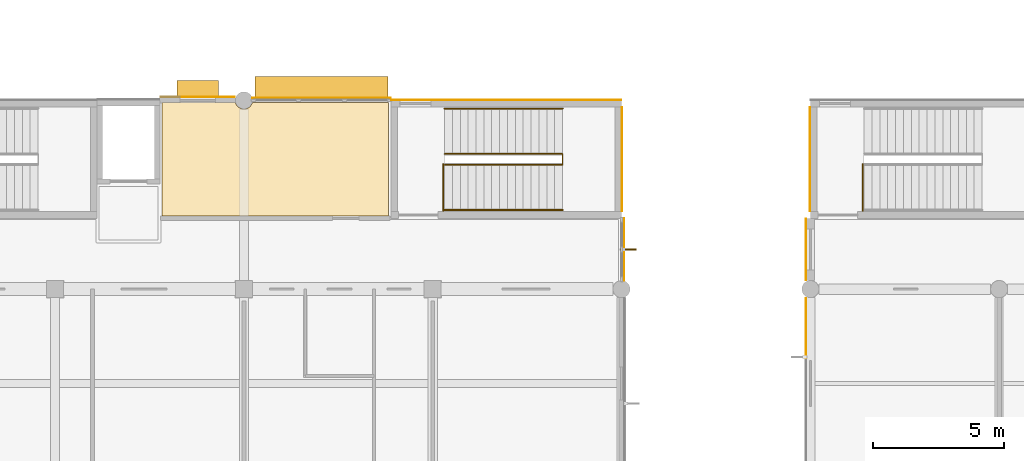
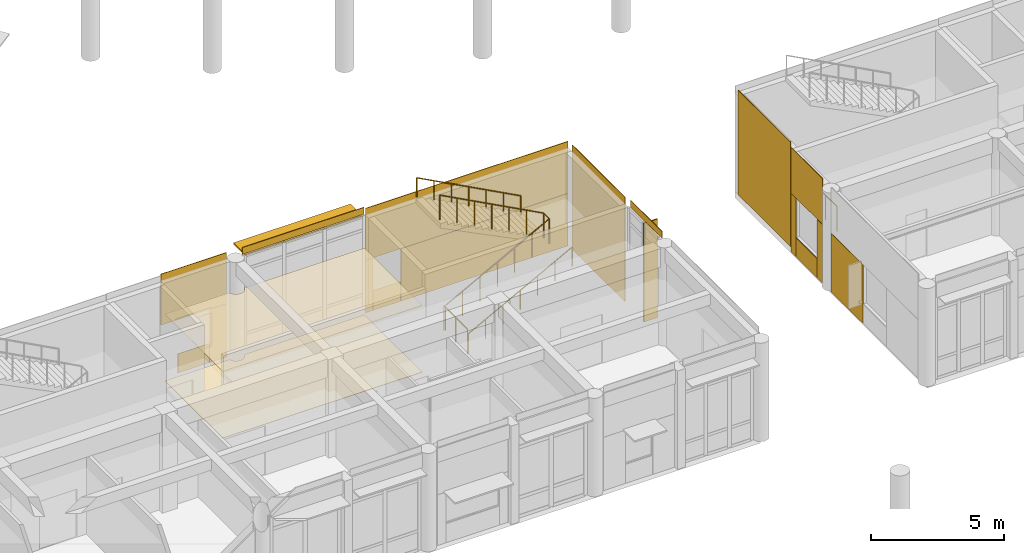
# One storey, part 73 of 92: 18 coverings, 5 railings, 3 shading devices.
"""IFC4 building model written with IfcOpenShell, lengths in metres."""

import ifcopenshell
import ifcopenshell.guid

model = None  # the IFC model being written
_history = None  # IfcOwnerHistory: only IFC2X3 demands one
_inside = {}  # id of a spatial element -> (the spatial element, [elements in it])
_under = {}  # id of a project, library or spatial element -> (it, [spatial elements below it])
_declared = {}  # id of a project -> (the project, [libraries it declares])
_typed = {}  # id of a type object -> (the type object, [elements of that type])
_made_of = {}  # id of a material, layer set ... -> (it, [elements and type objects made of it])


def new_model(schema):
    """Start an empty IFC model of exactly this schema.

    Asked for "IFC4X3", IfcOpenShell would pick the latest addendum, in which some entities
    have other attributes; the version numbers below select the first issue.
    IFC2X3 requires an IfcOwnerHistory on every rooted entity: one is made here for all.
    """
    global model, _history
    if schema == "IFC4X3":
        model = ifcopenshell.file(schema_version=(4, 3, 0, 0))
    else:
        model = ifcopenshell.file(schema=schema)
    _inside.clear()
    _under.clear()
    _declared.clear()
    _typed.clear()
    _made_of.clear()
    _history = None
    if model.schema == "IFC2X3":
        org = make("IfcOrganization", Name="unknown")
        user = make(
            "IfcPersonAndOrganization",
            ThePerson=make("IfcPerson", FamilyName="unknown"),
            TheOrganization=org,
        )
        app = make(
            "IfcApplication",
            ApplicationDeveloper=org,
            Version="unknown",
            ApplicationFullName="unknown",
            ApplicationIdentifier="unknown",
        )
        _history = make(
            "IfcOwnerHistory",
            OwningUser=user,
            OwningApplication=app,
            ChangeAction="ADDED",
            CreationDate=0,
        )
    return model


def make(cls, **values):
    """One entity of the class cls with the attributes given. An attribute that is None is left unset."""
    return model.create_entity(
        cls, **{name: value for name, value in values.items() if value is not None}
    )


def rooted(cls, **values):
    """An entity with a GlobalId (a new one), such as an element, a storey or a relation."""
    return make(cls, GlobalId=ifcopenshell.guid.new(), OwnerHistory=_history, **values)


def si_unit(unit_type, name, prefix=None):
    """IfcSIUnit, for example si_unit("LENGTHUNIT", "METRE", prefix="MILLI")."""
    return make("IfcSIUnit", UnitType=unit_type, Prefix=prefix, Name=name)


def assignment(units):
    """IfcUnitAssignment: the units of a project."""
    return None if units is None else make("IfcUnitAssignment", Units=units)


def point(xyz):
    """IfcCartesianPoint."""
    return None if xyz is None else make("IfcCartesianPoint", Coordinates=xyz)


def direction(xyz):
    """IfcDirection."""
    return None if xyz is None else make("IfcDirection", DirectionRatios=xyz)


def frame(location, z_axis=None, x_axis=None):
    """IfcAxis2Placement3D, a coordinate frame: its origin and axes. An axis left out is left unset."""
    return make(
        "IfcAxis2Placement3D",
        Location=point(location),
        Axis=direction(z_axis),
        RefDirection=direction(x_axis),
    )


def frame_2d(location, x_axis=None):
    """IfcAxis2Placement2D, a coordinate frame in the plane: its origin and x axis."""
    return make(
        "IfcAxis2Placement2D", Location=point(location), RefDirection=direction(x_axis)
    )


def origin():
    """The frame at (0, 0, 0) with its axes left unset."""
    return frame((0.0, 0.0, 0.0))


def origin_2d():
    """The frame at (0, 0) in the plane with its x axis left unset."""
    return frame_2d((0.0, 0.0))


def place(relative_to, where):
    """IfcLocalPlacement: puts the frame where relative to a parent placement (None: the world)."""
    return make(
        "IfcLocalPlacement", PlacementRelTo=relative_to, RelativePlacement=where
    )


def context(
    kind, dimensions, precision=None, world=None, true_north=None, identifier=None
):
    """IfcGeometricRepresentationContext, for example the 3D "Model" context."""
    return make(
        "IfcGeometricRepresentationContext",
        ContextIdentifier=identifier,
        ContextType=kind,
        CoordinateSpaceDimension=dimensions,
        Precision=precision,
        WorldCoordinateSystem=world,
        TrueNorth=true_north,
    )


def subcontext(parent, identifier, kind, view, scale=None):
    """IfcGeometricRepresentationSubContext, for example "Body" below "Model"."""
    return make(
        "IfcGeometricRepresentationSubContext",
        ContextIdentifier=identifier,
        ContextType=kind,
        ParentContext=parent,
        TargetScale=scale,
        TargetView=view,
    )


def project(units=None, contexts=None):
    """IfcProject with its units and contexts."""
    return rooted(
        "IfcProject",
        Name="project",
        RepresentationContexts=contexts,
        UnitsInContext=assignment(units),
    )


def spatial(cls, under=None, at=None, **own):
    """A site, building, storey or space (cls), placed at a placement, below another one or the project."""
    s = rooted(cls, ObjectPlacement=at, **own)
    if under is not None:
        _under.setdefault(under.id(), (under, []))[1].append(s)
    return s


def polyline(points):
    """IfcPolyline through the points."""
    return make("IfcPolyline", Points=[point(p) for p in points])


def profile(cls, at=None, kind="AREA", **sizes):
    """A parametric profile (cls). Its sizes go by their IFC names, for example OverallWidth=200.0."""
    return make(cls, ProfileType=kind, Position=at, **sizes)


def rectangle(**sizes):
    """IfcRectangleProfileDef."""
    return profile("IfcRectangleProfileDef", **sizes)


def circle(**sizes):
    """IfcCircleProfileDef."""
    return profile("IfcCircleProfileDef", **sizes)


def outline(outer, holes=None, kind="AREA"):
    """IfcArbitraryClosedProfileDef: a profile drawn as a closed curve; with holes, ...WithVoids."""
    if holes is None:
        return make("IfcArbitraryClosedProfileDef", ProfileType=kind, OuterCurve=outer)
    return make(
        "IfcArbitraryProfileDefWithVoids",
        ProfileType=kind,
        OuterCurve=outer,
        InnerCurves=holes,
    )


def extrude(swept, where, along, depth):
    """IfcExtrudedAreaSolid: the profile swept, set in the frame where, extruded along a direction by depth."""
    return make(
        "IfcExtrudedAreaSolid",
        SweptArea=swept,
        Position=where,
        ExtrudedDirection=direction(along),
        Depth=depth,
    )


def shape(context_of_items, identifier, shape_type, items):
    """IfcShapeRepresentation: the items that make up one representation, for example the "Body"."""
    return make(
        "IfcShapeRepresentation",
        ContextOfItems=context_of_items,
        RepresentationIdentifier=identifier,
        RepresentationType=shape_type,
        Items=items,
    )


def material(Name=None, Category=None):
    """IfcMaterial."""
    return make("IfcMaterial", Name=Name, Category=Category)


def layer(
    of_material, thickness, ventilated=None, Name=None, Category=None, Priority=None
):
    """IfcMaterialLayer: one layer of a wall or slab, of a material (None: an air gap)."""
    return make(
        "IfcMaterialLayer",
        Material=of_material,
        LayerThickness=thickness,
        IsVentilated=ventilated,
        Name=Name,
        Category=Category,
        Priority=Priority,
    )


def layer_set(layers, Name=None):
    """IfcMaterialLayerSet."""
    return make("IfcMaterialLayerSet", MaterialLayers=layers, LayerSetName=Name)


def made_of(thing, what):
    """Note that an element or type object is made of a material, layer set ...; save() writes the relation."""
    if what is not None:
        _made_of.setdefault(what.id(), (what, []))[1].append(thing)
    return thing


def type_object(cls, material=None, **own):
    """A type object (cls), such as IfcWallType, which elements share."""
    return made_of(rooted(cls, **own), material)


def element(
    cls,
    number,
    at=None,
    inside=None,
    cuts=None,
    type_object=None,
    material=None,
    context=None,
    identifier="Body",
    shape_type=None,
    held_by="IfcProductDefinitionShape",
    body=None,
    shapes=None,
    **own,
):
    """One element of the class cls, such as IfcWall. Its Tag is "e" and its number.

    at: its placement. inside: the storey or other place that contains it. cuts: it is an
    opening in that element (IfcRelVoidsElement). A single representation is given by context,
    identifier, shape_type and body (its items); several are given by shapes. held_by: the class
    of the entity that holds the representations. save() writes the other relations.
    """
    e = rooted(cls, Tag="e%d" % number, ObjectPlacement=at, **own)
    if body is not None:
        shapes = [shape(context, identifier, shape_type, body)]
    if shapes is not None:
        e.Representation = make(held_by, Representations=shapes)
    if inside is not None:
        _inside.setdefault(inside.id(), (inside, []))[1].append(e)
    if cuts is not None:
        rooted(
            "IfcRelVoidsElement", RelatingBuildingElement=cuts, RelatedOpeningElement=e
        )
    if type_object is not None:
        _typed.setdefault(type_object.id(), (type_object, []))[1].append(e)
    return made_of(e, material)


def aggregate(whole, parts):
    """IfcRelAggregates: a whole, such as a stair, and the parts it consists of."""
    return rooted("IfcRelAggregates", RelatingObject=whole, RelatedObjects=parts)


def save(model, path):
    """Write the relations noted so far, then the file.

    IfcRelAggregates (storeys below a building ...), IfcRelContainedInSpatialStructure (elements
    in a storey), IfcRelDefinesByType, IfcRelAssociatesMaterial and IfcRelDeclares: one each for
    every whole, place, type object, material and project.
    """
    for whole, parts in _under.values():
        aggregate(whole, parts)
    for where, things in _inside.values():
        rooted(
            "IfcRelContainedInSpatialStructure",
            RelatedElements=things,
            RelatingStructure=where,
        )
    for kind, things in _typed.values():
        rooted("IfcRelDefinesByType", RelatedObjects=things, RelatingType=kind)
    for what, things in _made_of.values():
        rooted("IfcRelAssociatesMaterial", RelatedObjects=things, RelatingMaterial=what)
    for by, libraries in _declared.values():
        rooted("IfcRelDeclares", RelatingContext=by, RelatedDefinitions=libraries)
    model.write(path)


model = new_model("IFC4")

# Units and contexts
model_context = context("Model", 3, precision=1e-05, world=origin(), true_north=direction((0.0, 1.0)))
body_context = subcontext(model_context, "Body", "Model", "MODEL_VIEW")
ifc_project = project(units=[si_unit("LENGTHUNIT", "METRE"), si_unit("AREAUNIT", "SQUARE_METRE"), si_unit("VOLUMEUNIT", "CUBIC_METRE"), si_unit("PLANEANGLEUNIT", "RADIAN"), si_unit("MASSUNIT", "GRAM", prefix="KILO")], contexts=[model_context])

# Site, building, storey
site_placement = place(None, origin())
site = spatial("IfcSite", under=ifc_project, at=site_placement, CompositionType="ELEMENT")
building_placement = place(site_placement, origin())
building = spatial("IfcBuilding", under=site, at=building_placement, Name="Namkhue Oval Health Centre", CompositionType="ELEMENT")
storey_placement = place(building_placement, frame((0.0, 0.0, 4.800048828125)))
storey = spatial("IfcBuildingStorey", under=building, at=storey_placement, Name="L01", CompositionType="ELEMENT", Elevation=4.800048828125)

# Coverings
ifc_material_1 = material(Name="Acoustic mineral-fibre cleanroom ceiling", Category="gypsum")
ifc_layer_1 = layer(ifc_material_1, 0.02001953125)
ifc_layer_set_1 = layer_set([ifc_layer_1], Name="Acoustic mineral-fibre cleanroom ceiling")
covering_type_1 = type_object("IfcCoveringType", Name="ACOUSTIC CLEANROOM CEILING 20", PredefinedType="CEILING", material=ifc_layer_set_1)
covering_1_placement = place(storey_placement, frame((0.0, 0.0, 3.050048828125)))
element("IfcCovering", 1, at=covering_1_placement, inside=storey, type_object=covering_type_1, Name="Acoustic Ceiling L01-412 Blood Draw Phlebotomy Bay", PredefinedType="CEILING", context=body_context, shape_type="SweptSolid", body=[
    extrude(outline(polyline([(68.8798828125, 24.3798828125), (68.8798828125, 28.715087890625), (71.67626953125, 28.715087890625), (71.7099609375, 28.632568359375), (71.76318359375, 28.56298828125), (71.83251953125, 28.510009765625), (71.913330078125, 28.476318359375), (72.0, 28.465087890625), (72.086669921875, 28.476318359375), (72.16748046875, 28.510009765625), (72.23681640625, 28.56298828125), (72.2900390625, 28.632568359375), (72.32373046875, 28.715087890625), (77.52001953125, 28.715087890625), (77.52001953125, 24.3798828125), (68.8798828125, 24.3798828125)])), origin(), (0.0, 0.0, 1.0), 0.02001953125),
])
ifc_material_2 = material(Name="Homogeneous anti-bacterial clinical vinyl flooring", Category="plastic")
ifc_layer_2 = layer(ifc_material_2, 0.014892578125)
ifc_layer_set_2 = layer_set([ifc_layer_2], Name="Homogeneous anti-bacterial clinical vinyl flooring")
covering_type_2 = type_object("IfcCoveringType", Name="CLINICAL ANTIBACTERIAL VINYL FLOORING 15", PredefinedType="FLOORING", material=ifc_layer_set_2)
covering_2_placement = place(storey_placement, origin())
element("IfcCovering", 2, at=covering_2_placement, inside=storey, type_object=covering_type_2, Name="Clinical Flooring L01-412 Blood Draw Phlebotomy Bay", PredefinedType="FLOORING", context=body_context, shape_type="SweptSolid", body=[
    extrude(outline(polyline([(68.8798828125, 24.3798828125), (68.8798828125, 28.715087890625), (71.67626953125, 28.715087890625), (71.7099609375, 28.632568359375), (71.76318359375, 28.56298828125), (71.83251953125, 28.510009765625), (71.913330078125, 28.476318359375), (72.0, 28.465087890625), (72.086669921875, 28.476318359375), (72.16748046875, 28.510009765625), (72.23681640625, 28.56298828125), (72.2900390625, 28.632568359375), (72.32373046875, 28.715087890625), (77.52001953125, 28.715087890625), (77.52001953125, 24.3798828125), (68.8798828125, 24.3798828125)])), origin(), (0.0, 0.0, 1.0), 0.014892578125),
])

# Railings
ifc_material_3 = material(Name="Brushed stainless steel 316L balustrade with laminated glass infill", Category="steel")
railing_type_1 = type_object("IfcRailingType", Name="INTERIOR BALUSTRADE GUARD 1150", PredefinedType="BALUSTRADE", material=ifc_material_3)
railing_1_placement = place(storey_placement, frame((79.60009765625, 24.590087890625, 0.0)))
element("IfcRailing", 3, at=railing_1_placement, inside=storey, type_object=railing_type_1, Name="Stair ST-08 L01 Landing Well Edge Guard", PredefinedType="BALUSTRADE", context=body_context, shape_type="SweptSolid", body=[
    extrude(circle(Radius=0.02392578125, at=origin_2d()), frame((0.0, 0.0, 1.1259765625), z_axis=(0.0, 1.0, 0.0), x_axis=(-1.0, 0.0, 0.0)), (0.0, 0.0, 1.0), 1.77001953125),
    extrude(circle(Radius=0.02099609375, at=origin_2d()), origin(), (0.0, 0.0, 1.0), 1.101806640625),
    extrude(circle(Radius=0.02099609375, at=origin_2d()), frame((0.0, 0.885009765625, 0.0)), (0.0, 0.0, 1.0), 1.101806640625),
    extrude(circle(Radius=0.02099609375, at=origin_2d()), frame((0.0, 1.77001953125, 0.0)), (0.0, 0.0, 1.0), 1.101806640625),
])
railing_2_placement = place(storey_placement, frame((79.64990234375, 26.340087890625, 0.0)))
element("IfcRailing", 4, at=railing_2_placement, inside=storey, type_object=railing_type_1, Name="Stair ST-08 L01 Inner Well Guard", PredefinedType="BALUSTRADE", context=body_context, shape_type="SweptSolid", body=[
    extrude(circle(Radius=0.02392578125, at=origin_2d()), frame((0.0, 0.0, 1.1259765625), z_axis=(0.882360891967, 0.0, 0.470573327259), x_axis=(0.0, 1.0, 0.0)), (0.0, 0.0, 1.0), 5.099853515625),
    extrude(circle(Radius=0.02392578125, at=origin_2d()), frame((4.5, 0.0, 3.52587890625), z_axis=(0.0, 1.0, 0.0), x_axis=(-1.0, 0.0, 0.0)), (0.0, 0.0, 1.0), 0.419921875),
    extrude(circle(Radius=0.02392578125, at=origin_2d()), frame((4.5, 0.419921875, 3.52587890625), z_axis=(-0.882341014787, 0.0, 0.470610596591), x_axis=(0.0, -1.0, 0.0)), (0.0, 0.0, 1.0), 5.10009765625),
    extrude(circle(Radius=0.02099609375, at=origin_2d()), origin(), (0.0, 0.0, 1.0), 1.101806640625),
    extrude(circle(Radius=0.02099609375, at=origin_2d()), frame((0.75, 0.0, 0.39990234375)), (0.0, 0.0, 1.0), 1.101806640625),
    extrude(circle(Radius=0.02099609375, at=origin_2d()), frame((1.5, 0.0, 0.800048828125)), (0.0, 0.0, 1.0), 1.101806640625),
    extrude(circle(Radius=0.02099609375, at=origin_2d()), frame((2.25, 0.0, 1.199951171875)), (0.0, 0.0, 1.0), 1.101806640625),
    extrude(circle(Radius=0.02099609375, at=origin_2d()), frame((3.0, 0.0, 1.599853515625)), (0.0, 0.0, 1.0), 1.101806640625),
    extrude(circle(Radius=0.02099609375, at=origin_2d()), frame((3.75, 0.0, 2.0)), (0.0, 0.0, 1.0), 1.101806640625),
    extrude(circle(Radius=0.02099609375, at=origin_2d()), frame((4.5, 0.0, 2.39990234375)), (0.0, 0.0, 1.0), 1.101806640625),
    extrude(circle(Radius=0.02099609375, at=origin_2d()), frame((4.5, 0.419921875, 2.39990234375)), (0.0, 0.0, 1.0), 1.101806640625),
    extrude(circle(Radius=0.02099609375, at=origin_2d()), frame((3.75, 0.419921875, 2.7998046875)), (0.0, 0.0, 1.0), 1.101806640625),
    extrude(circle(Radius=0.02099609375, at=origin_2d()), frame((3.0, 0.419921875, 3.199951171875)), (0.0, 0.0, 1.0), 1.101806640625),
    extrude(circle(Radius=0.02099609375, at=origin_2d()), frame((2.25, 0.419921875, 3.60009765625)), (0.0, 0.0, 1.0), 1.101806640625),
    extrude(circle(Radius=0.02099609375, at=origin_2d()), frame((1.5, 0.419921875, 4.0)), (0.0, 0.0, 1.0), 1.101806640625),
    extrude(circle(Radius=0.02099609375, at=origin_2d()), frame((0.75, 0.419921875, 4.39990234375)), (0.0, 0.0, 1.0), 1.101806640625),
    extrude(circle(Radius=0.02099609375, at=origin_2d()), frame((0.0, 0.419921875, 4.800048828125)), (0.0, 0.0, 1.0), 1.101806640625),
])
railing_3_placement = place(storey_placement, frame((95.60009765625, 24.590087890625, 0.0)))
element("IfcRailing", 5, at=railing_3_placement, inside=storey, type_object=railing_type_1, Name="Stair ST-09 L01 Landing Well Edge Guard", PredefinedType="BALUSTRADE", context=body_context, shape_type="SweptSolid", body=[
    extrude(circle(Radius=0.02392578125, at=origin_2d()), frame((0.0, 0.0, 1.1259765625), z_axis=(0.0, 1.0, 0.0), x_axis=(-1.0, 0.0, 0.0)), (0.0, 0.0, 1.0), 1.77001953125),
    extrude(circle(Radius=0.02099609375, at=origin_2d()), origin(), (0.0, 0.0, 1.0), 1.101806640625),
    extrude(circle(Radius=0.02099609375, at=origin_2d()), frame((0.0, 0.885009765625, 0.0)), (0.0, 0.0, 1.0), 1.101806640625),
    extrude(circle(Radius=0.02099609375, at=origin_2d()), frame((0.0, 1.77001953125, 0.0)), (0.0, 0.0, 1.0), 1.101806640625),
])
ifc_material_4 = material(Name="Brushed stainless steel 304 tubular handrail", Category="steel")
railing_type_2 = type_object("IfcRailingType", Name="INTERIOR STAIR HANDRAIL 900", PredefinedType="HANDRAIL", material=ifc_material_4)
railing_4_placement = place(storey_placement, frame((79.64990234375, 24.6201171875, 0.0)))
element("IfcRailing", 6, at=railing_4_placement, inside=storey, type_object=railing_type_2, Name="Stair ST-08 L01 Flight 1 Handrail", PredefinedType="HANDRAIL", context=body_context, shape_type="SweptSolid", body=[
    extrude(circle(Radius=0.02392578125, at=origin_2d()), frame((0.0, 0.0, 0.8759765625), z_axis=(0.882360891967, 0.0, 0.470573327259), x_axis=(0.0, 1.0, 0.0)), (0.0, 0.0, 1.0), 5.099853515625),
    extrude(circle(Radius=0.02099609375, at=origin_2d()), origin(), (0.0, 0.0, 1.0), 0.851806640625),
    extrude(circle(Radius=0.02099609375, at=origin_2d()), frame((0.75, 0.0, 0.39990234375)), (0.0, 0.0, 1.0), 0.851806640625),
    extrude(circle(Radius=0.02099609375, at=origin_2d()), frame((1.5, 0.0, 0.800048828125)), (0.0, 0.0, 1.0), 0.851806640625),
    extrude(circle(Radius=0.02099609375, at=origin_2d()), frame((2.25, 0.0, 1.199951171875)), (0.0, 0.0, 1.0), 0.851806640625),
    extrude(circle(Radius=0.02099609375, at=origin_2d()), frame((3.0, 0.0, 1.599853515625)), (0.0, 0.0, 1.0), 0.851806640625),
    extrude(circle(Radius=0.02099609375, at=origin_2d()), frame((3.75, 0.0, 2.0)), (0.0, 0.0, 1.0), 0.851806640625),
    extrude(circle(Radius=0.02099609375, at=origin_2d()), frame((4.5, 0.0, 2.39990234375)), (0.0, 0.0, 1.0), 0.851806640625),
])
railing_5_placement = place(storey_placement, frame((84.14990234375, 28.47998046875, 2.39990234375)))
element("IfcRailing", 7, at=railing_5_placement, inside=storey, type_object=railing_type_2, Name="Stair ST-08 L01 Flight 2 Handrail", PredefinedType="HANDRAIL", context=body_context, shape_type="SweptSolid", body=[
    extrude(circle(Radius=0.02392578125, at=origin_2d()), frame((0.0, 0.0, 0.8759765625), z_axis=(-0.882341014787, 0.0, 0.470610596591), x_axis=(0.0, -1.0, 0.0)), (0.0, 0.0, 1.0), 5.10009765625),
    extrude(circle(Radius=0.02099609375, at=origin_2d()), origin(), (0.0, 0.0, 1.0), 0.851806640625),
    extrude(circle(Radius=0.02099609375, at=origin_2d()), frame((-0.75, 0.0, 0.39990234375)), (0.0, 0.0, 1.0), 0.851806640625),
    extrude(circle(Radius=0.02099609375, at=origin_2d()), frame((-1.5, 0.0, 0.800048828125)), (0.0, 0.0, 1.0), 0.851806640625),
    extrude(circle(Radius=0.02099609375, at=origin_2d()), frame((-2.25, 0.0, 1.2001953125)), (0.0, 0.0, 1.0), 0.851806640625),
    extrude(circle(Radius=0.02099609375, at=origin_2d()), frame((-3.0, 0.0, 1.60009765625)), (0.0, 0.0, 1.0), 0.851806640625),
    extrude(circle(Radius=0.02099609375, at=origin_2d()), frame((-3.75, 0.0, 2.0)), (0.0, 0.0, 1.0), 0.851806640625),
    extrude(circle(Radius=0.02099609375, at=origin_2d()), frame((-4.5, 0.0, 2.400146484375)), (0.0, 0.0, 1.0), 0.851806640625),
])

# Shading devices
ifc_material_5 = material(Name="Anodised aluminium EN AW-6063 T6", Category="aluminium")
ifc_layer_3 = layer(ifc_material_5, 0.06005859375)
ifc_layer_set_3 = layer_set([ifc_layer_3], Name="Anodised aluminium EN AW-6063 T6")
shading_device_type_1 = type_object("IfcShadingDeviceType", Name="MONSOON SUN LOUVRE 900", PredefinedType="JALOUSIE", material=ifc_layer_set_3)
shading_device_1_placement = place(storey_placement, frame((74.958984375, 29.25, 4.434814453125), z_axis=(0.0, 0.0, 1.0), x_axis=(-1.0, 0.0, 0.0)))
element("IfcShadingDevice", 8, at=shading_device_1_placement, inside=storey, type_object=shading_device_type_1, Name="Volume V4 L01 Horizontal Monsoon Sun Louvre 206", PredefinedType="JALOUSIE", context=body_context, shape_type="SweptSolid", body=[
    extrude(rectangle(XDim=5.077880859375, YDim=0.89990234375, at=origin_2d()), origin(), (0.0, 0.0, 1.0), 0.06005859375),
])
ifc_layer_4 = layer(ifc_material_5, 0.050048828125)
ifc_layer_set_4 = layer_set([ifc_layer_4], Name="Anodised aluminium EN AW-6063 T6")
shading_device_type_2 = type_object("IfcShadingDeviceType", Name="STORM SHUTTER LOUVRE 650", PredefinedType="SHUTTER", material=ifc_layer_set_4)
shading_device_2_placement = place(storey_placement, frame((70.240966796875, 29.22509765625, 2.4599609375), z_axis=(0.0, 0.0, 1.0), x_axis=(-1.0, 0.0, 0.0)))
element("IfcShadingDevice", 9, at=shading_device_2_placement, inside=storey, type_object=shading_device_type_2, Name="Volume V4 L01 Window Monsoon Louvre 207", PredefinedType="SHUTTER", context=body_context, shape_type="SweptSolid", body=[
    extrude(rectangle(XDim=1.590087890625, YDim=0.64990234375, at=origin_2d()), origin(), (0.0, 0.0, 1.0), 0.06005859375),
])
shading_device_type_3 = type_object("IfcShadingDeviceType", Name="VERTICAL SOLAR FIN 600", PredefinedType="USERDEFINED", material=ifc_material_5)
shading_device_3_placement = place(storey_placement, frame((86.659912109375, 23.10888671875, 0.0), z_axis=(0.0, 0.0, 1.0), x_axis=(1.0, 0.0, 0.0)))
element("IfcShadingDevice", 10, at=shading_device_3_placement, inside=storey, type_object=shading_device_type_3, Name="Volume V4 L01 Extruded Aluminium Solar Fin 205", ObjectType="SOLAR FIN", PredefinedType="USERDEFINED", context=body_context, shape_type="SweptSolid", body=[
    extrude(rectangle(XDim=0.60009765625, YDim=0.06005859375, at=origin_2d()), origin(), (0.0, 0.0, 1.0), 4.5048828125),
])

# Coverings
ifc_material_6 = material(Name="White glass-fibre reinforced concrete GRC rainscreen cladding", Category="concrete")
ifc_layer_5 = layer(ifc_material_6, 0.02490234375)
ifc_layer_set_5 = layer_set([ifc_layer_5], Name="White glass-fibre reinforced concrete GRC rainscreen cladding")
covering_type_3 = type_object("IfcCoveringType", Name="WHITE GRC RAINSCREEN CLADDING 25", PredefinedType="CLADDING", material=ifc_layer_set_5)
covering_3_placement = place(storey_placement, frame((86.488525390625, 23.10888671875, 4.489990234375), z_axis=(0.0, 0.0, 1.0), x_axis=(0.0, 1.0, 0.0)))
element("IfcCovering", 11, at=covering_3_placement, inside=storey, type_object=covering_type_3, Name="Volume V4 L01 Curtain Wall Spandrel Cladding 152", PredefinedType="CLADDING", context=body_context, shape_type="SweptSolid", body=[
    extrude(rectangle(XDim=2.367919921875, YDim=0.02490234375, at=origin_2d()), origin(), (0.0, 0.0, 1.0), 0.31005859375),
])
covering_4_placement = place(storey_placement, frame((74.958984375, 28.888427734375, 4.489990234375), z_axis=(0.0, 0.0, 1.0), x_axis=(-1.0, 0.0, 0.0)))
element("IfcCovering", 12, at=covering_4_placement, inside=storey, type_object=covering_type_3, Name="Volume V4 L01 Curtain Wall Spandrel Cladding 153", PredefinedType="CLADDING", context=body_context, shape_type="SweptSolid", body=[
    extrude(rectangle(XDim=5.26806640625, YDim=0.02490234375, at=origin_2d()), origin(), (0.0, 0.0, 1.0), 0.31005859375),
])
covering_5_placement = place(storey_placement, frame((70.240966796875, 28.922119140625, 2.455078125), z_axis=(0.0, 0.0, 1.0), x_axis=(-1.0, 0.0, 0.0)))
element("IfcCovering", 13, at=covering_5_placement, inside=storey, type_object=covering_type_3, Name="Volume V4 L01 Facade 101 White GRC Cladding 1", PredefinedType="CLADDING", context=body_context, shape_type="SweptSolid", body=[
    extrude(rectangle(XDim=2.837890625, YDim=0.02490234375, at=origin_2d()), origin(), (0.0, 0.0, 1.0), 2.3349609375),
])
covering_6_placement = place(storey_placement, frame((71.29541015625, 28.922119140625, 0.010009765625), z_axis=(0.0, 0.0, 1.0), x_axis=(-1.0, 0.0, 0.0)))
element("IfcCovering", 14, at=covering_6_placement, inside=storey, type_object=covering_type_3, Name="Volume V4 L01 Facade 101 White GRC Cladding 2", PredefinedType="CLADDING", context=body_context, shape_type="SweptSolid", body=[
    extrude(rectangle(XDim=0.72900390625, YDim=0.02490234375, at=origin_2d()), origin(), (0.0, 0.0, 1.0), 2.43994140625),
])
covering_7_placement = place(storey_placement, frame((70.240966796875, 28.922119140625, 0.010009765625), z_axis=(0.0, 0.0, 1.0), x_axis=(-1.0, 0.0, 0.0)))
element("IfcCovering", 15, at=covering_7_placement, inside=storey, type_object=covering_type_3, Name="Volume V4 L01 Facade 101 White GRC Cladding 3", PredefinedType="CLADDING", context=body_context, shape_type="SweptSolid", body=[
    extrude(rectangle(XDim=1.3701171875, YDim=0.02490234375, at=origin_2d()), origin(), (0.0, 0.0, 1.0), 0.875),
])
covering_8_placement = place(storey_placement, frame((93.43798828125, 23.10888671875, 2.69482421875), z_axis=(0.0, 0.0, 1.0), x_axis=(0.0, -1.0, 0.0)))
element("IfcCovering", 16, at=covering_8_placement, inside=storey, type_object=covering_type_3, Name="Volume V5 L01 Facade 125 White GRC Cladding 1", PredefinedType="CLADDING", context=body_context, shape_type="SweptSolid", body=[
    extrude(rectangle(XDim=2.337890625, YDim=0.02490234375, at=origin_2d()), origin(), (0.0, 0.0, 1.0), 2.094970703125),
])
covering_9_placement = place(storey_placement, frame((93.43798828125, 24.08837890625, 0.009765625), z_axis=(0.0, 0.0, 1.0), x_axis=(0.0, -1.0, 0.0)))
element("IfcCovering", 17, at=covering_9_placement, inside=storey, type_object=covering_type_3, Name="Volume V5 L01 Facade 125 White GRC Cladding 2", PredefinedType="CLADDING", context=body_context, shape_type="SweptSolid", body=[
    extrude(rectangle(XDim=0.37890625, YDim=0.02490234375, at=origin_2d()), origin(), (0.0, 0.0, 1.0), 2.679931640625),
])
covering_10_placement = place(storey_placement, frame((93.43798828125, 23.10888671875, 0.010009765625), z_axis=(0.0, 0.0, 1.0), x_axis=(0.0, -1.0, 0.0)))
element("IfcCovering", 18, at=covering_10_placement, inside=storey, type_object=covering_type_3, Name="Volume V5 L01 Facade 125 White GRC Cladding 3", PredefinedType="CLADDING", context=body_context, shape_type="SweptSolid", body=[
    extrude(rectangle(XDim=1.570068359375, YDim=0.02490234375, at=origin_2d()), origin(), (0.0, 0.0, 1.0), 0.875),
])
covering_11_placement = place(storey_placement, frame((93.43798828125, 22.12939453125, 0.009765625), z_axis=(0.0, 0.0, 1.0), x_axis=(0.0, -1.0, 0.0)))
element("IfcCovering", 19, at=covering_11_placement, inside=storey, type_object=covering_type_3, Name="Volume V5 L01 Facade 125 White GRC Cladding 4", PredefinedType="CLADDING", context=body_context, shape_type="SweptSolid", body=[
    extrude(rectangle(XDim=0.37890625, YDim=0.02490234375, at=origin_2d()), origin(), (0.0, 0.0, 1.0), 2.679931640625),
])
covering_12_placement = place(storey_placement, frame((93.43310546875, 20.074951171875, 0.009765625), z_axis=(0.0, 0.0, 1.0), x_axis=(0.0, -1.0, 0.0)))
element("IfcCovering", 20, at=covering_12_placement, inside=storey, type_object=covering_type_3, Name="Volume V5 L01 Facade 126 White GRC Cladding 2", PredefinedType="CLADDING", context=body_context, shape_type="SweptSolid", body=[
    extrude(rectangle(XDim=2.3701171875, YDim=0.02490234375, at=origin_2d()), origin(), (0.0, 0.0, 1.0), 2.679931640625),
])
covering_13_placement = place(storey_placement, frame((86.412109375, 26.550048828125, 0.009765625), z_axis=(0.0, 0.0, 1.0), x_axis=(0.0, 1.0, 0.0)))
element("IfcCovering", 21, at=covering_13_placement, inside=storey, type_object=covering_type_3, Name="Core SC-08 L01 Core E White GRC Cladding 1", PredefinedType="CLADDING", context=body_context, shape_type="SweptSolid", body=[
    extrude(rectangle(XDim=3.9599609375, YDim=0.02490234375, at=origin_2d()), origin(), (0.0, 0.0, 1.0), 4.780029296875),
])
covering_14_placement = place(storey_placement, frame((82.0, 28.81201171875, 2.4150390625), z_axis=(0.0, 0.0, 1.0), x_axis=(-1.0, 0.0, 0.0)))
element("IfcCovering", 22, at=covering_14_placement, inside=storey, type_object=covering_type_3, Name="Core SC-08 L01 Core N White GRC Cladding 1", PredefinedType="CLADDING", context=body_context, shape_type="SweptSolid", body=[
    extrude(rectangle(XDim=8.760009765625, YDim=0.02490234375, at=origin_2d()), origin(), (0.0, 0.0, 1.0), 2.375),
])
covering_15_placement = place(storey_placement, frame((82.762451171875, 28.81201171875, 0.010009765625), z_axis=(0.0, 0.0, 1.0), x_axis=(-1.0, 0.0, 0.0)))
element("IfcCovering", 23, at=covering_15_placement, inside=storey, type_object=covering_type_3, Name="Core SC-08 L01 Core N White GRC Cladding 2", PredefinedType="CLADDING", context=body_context, shape_type="SweptSolid", body=[
    extrude(rectangle(XDim=7.235107421875, YDim=0.02490234375, at=origin_2d()), origin(), (0.0, 0.0, 1.0), 2.39990234375),
])
covering_16_placement = place(storey_placement, frame((78.5400390625, 28.81201171875, 0.010009765625), z_axis=(0.0, 0.0, 1.0), x_axis=(-1.0, 0.0, 0.0)))
element("IfcCovering", 24, at=covering_16_placement, inside=storey, type_object=covering_type_3, Name="Core SC-08 L01 Core N White GRC Cladding 3", PredefinedType="CLADDING", context=body_context, shape_type="SweptSolid", body=[
    extrude(rectangle(XDim=1.199951171875, YDim=0.02490234375, at=origin_2d()), origin(), (0.0, 0.0, 1.0), 0.89501953125),
])
covering_17_placement = place(storey_placement, frame((77.777587890625, 28.81201171875, 0.010009765625), z_axis=(0.0, 0.0, 1.0), x_axis=(-1.0, 0.0, 0.0)))
element("IfcCovering", 25, at=covering_17_placement, inside=storey, type_object=covering_type_3, Name="Core SC-08 L01 Core N White GRC Cladding 4", PredefinedType="CLADDING", context=body_context, shape_type="SweptSolid", body=[
    extrude(rectangle(XDim=0.31494140625, YDim=0.02490234375, at=origin_2d()), origin(), (0.0, 0.0, 1.0), 2.39990234375),
])
covering_18_placement = place(storey_placement, frame((93.587890625, 26.550048828125, 0.009765625), z_axis=(0.0, 0.0, 1.0), x_axis=(0.0, -1.0, 0.0)))
element("IfcCovering", 26, at=covering_18_placement, inside=storey, type_object=covering_type_3, Name="Core SC-09 L01 Core W White GRC Cladding 1", PredefinedType="CLADDING", context=body_context, shape_type="SweptSolid", body=[
    extrude(rectangle(XDim=3.9599609375, YDim=0.02490234375, at=origin_2d()), origin(), (0.0, 0.0, 1.0), 4.780029296875),
])

save(model, "model.ifc")
